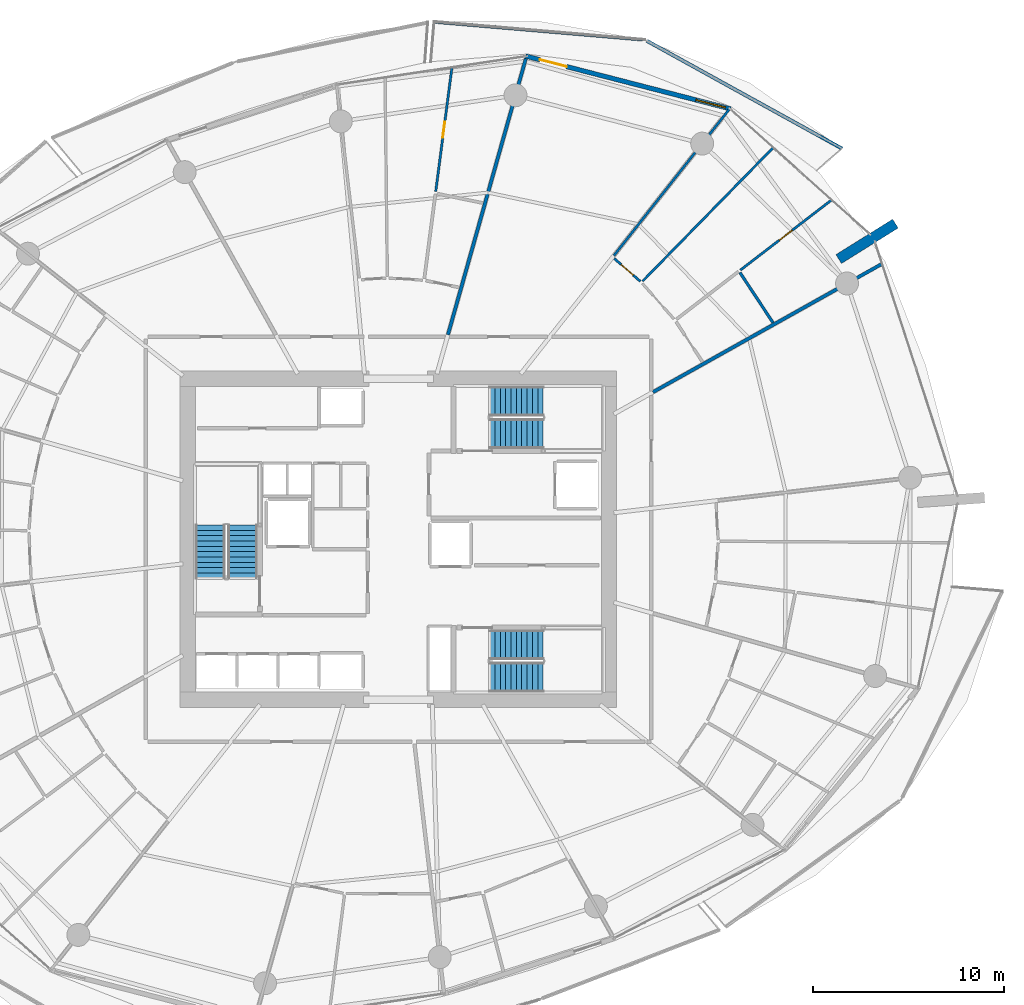
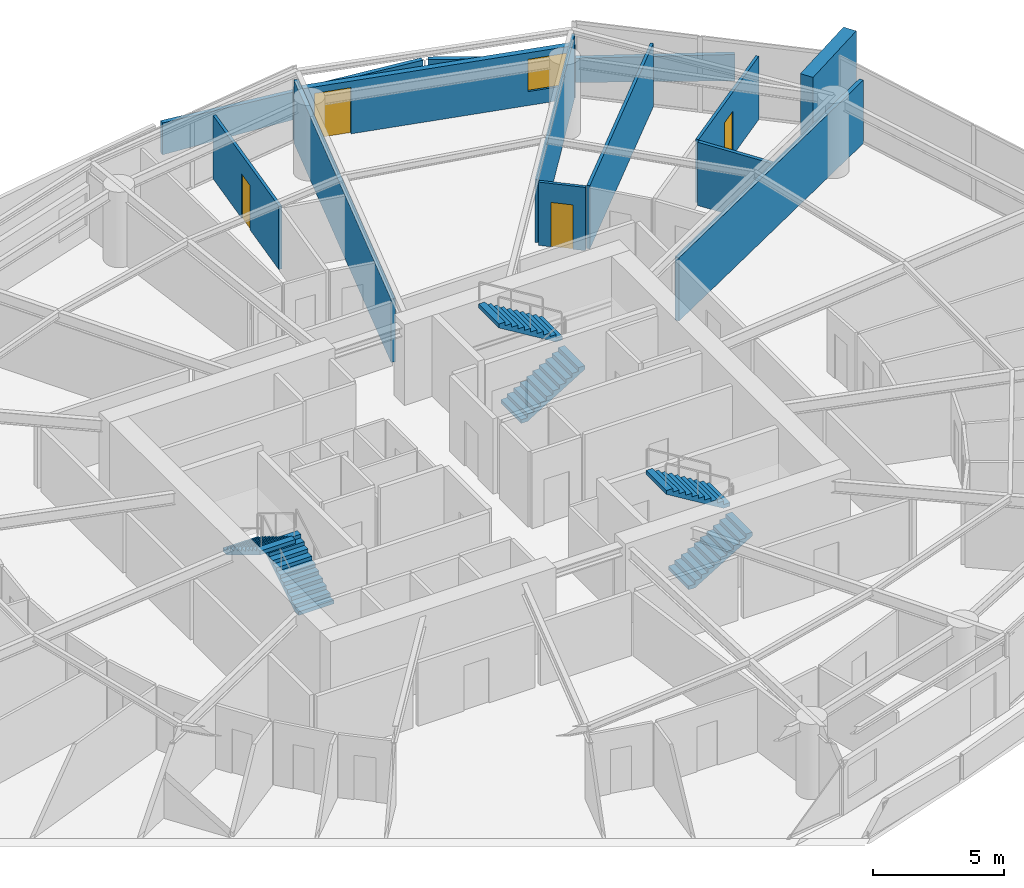
# One storey, part 16 of 23: 12 walls, 6 stair flights, 4 doors, 1 window, 5 openings, 3 elements without a shape of their own.
"""IFC4 building model written with IfcOpenShell, lengths in metres."""

from ifc_helpers import new_model, si_unit, direction, frame, frame_2d, origin, place, context, subcontext, project, spatial, polyline, rectangle, outline, extrude, material, layer, layer_set, type_object, element, fill, aggregate, save


model = new_model("IFC4")

# Units and contexts
model_context = context("Model", 3, precision=1e-05, world=origin(), true_north=direction((0.0, 1.0)))
body_context = subcontext(model_context, "Body", "Model", "MODEL_VIEW")
ifc_project = project(units=[si_unit("LENGTHUNIT", "METRE"), si_unit("AREAUNIT", "SQUARE_METRE"), si_unit("VOLUMEUNIT", "CUBIC_METRE"), si_unit("PLANEANGLEUNIT", "RADIAN"), si_unit("MASSUNIT", "GRAM", prefix="KILO")], contexts=[model_context])

# Site, building, storey
site_placement = place(None, origin())
site = spatial("IfcSite", under=ifc_project, at=site_placement, CompositionType="ELEMENT")
building_placement = place(site_placement, origin())
building = spatial("IfcBuilding", under=site, at=building_placement, Name="Kazma Halo Residences", CompositionType="ELEMENT")
storey_placement = place(building_placement, frame((0.0, 0.0, 86.39990234375)))
storey = spatial("IfcBuildingStorey", under=building, at=storey_placement, Name="L21", CompositionType="ELEMENT", Elevation=86.39990234375)

# Walls
ifc_material_1 = material(Name="White Concrete C50/60 Balustrade", Category="concrete")
ifc_layer_1 = layer(ifc_material_1, 0.179931640625)
ifc_layer_set_1 = layer_set([ifc_layer_1], Name="White Concrete C50/60 Balustrade")
wall_type_1 = type_object("IfcWallType", Name="WL-BAL-WAVE-180", PredefinedType="PARAPET", material=ifc_layer_set_1)
wall_1_placement = place(storey_placement, frame((71.644287109375, 62.4453125, 0.0), z_axis=(0.0, 0.0, 1.0), x_axis=(-0.875456537623, 0.483296855704, 0.0)))
element("IfcWall", 1, at=wall_1_placement, inside=storey, type_object=wall_type_1, Name="L21 white wave balustrade wall NE.1", PredefinedType="PARAPET", context=body_context, shape_type="SweptSolid", body=[
    extrude(outline(polyline([(0.0, 0.0), (11.671630859375, 0.0), (11.671875, 1.148193359375), (5.8359375, 1.127197265625), (0.0, 1.22412109375), (0.0, 0.0)])), frame((0.0, 0.08984375, 0.0), z_axis=(0.0, -1.0, 0.0), x_axis=(1.0, 0.0, 0.0)), (0.0, 0.0, 1.0), 0.179931640625),
])
wall_2_placement = place(storey_placement, frame((61.201416015625, 68.154296875, 0.0), z_axis=(0.0, 0.0, 1.0), x_axis=(-0.996375069037, 0.08506892383, 0.0)))
element("IfcWall", 2, at=wall_2_placement, inside=storey, type_object=wall_type_1, Name="L21 white wave balustrade wall NE.2", PredefinedType="PARAPET", context=body_context, shape_type="SweptSolid", body=[
    extrude(outline(polyline([(0.0, 0.0), (10.94287109375, 0.0), (10.943115234375, 1.483154296875), (5.471435546875, 1.2841796875), (0.0, 1.148193359375), (0.0, 0.0)])), frame((0.0, 0.08984375, 0.0), z_axis=(0.0, -1.0, 0.0), x_axis=(1.0, 0.0, 0.0)), (0.0, 0.0, 1.0), 0.179931640625),
])
ifc_material_2 = material(Name="Pale Concrete C60/75", Category="concrete")
ifc_layer_2 = layer(ifc_material_2, 0.550048828125)
ifc_layer_set_2 = layer_set([ifc_layer_2], Name="Pale Concrete C60/75")
wall_type_2 = type_object("IfcWallType", Name="WL-BLADE-550", PredefinedType="SOLIDWALL", material=ifc_layer_set_2)
wall_3_placement = place(storey_placement, frame((71.468505859375, 56.664794921875, 0.0), z_axis=(0.0, 0.0, 1.0), x_axis=(0.848053161125, 0.529911158502, 0.0)))
element("IfcWall", 3, at=wall_3_placement, inside=storey, type_object=wall_type_2, Name="L21 pale concrete structural blade fin wall BW-01", PredefinedType="SOLIDWALL", context=body_context, shape_type="SweptSolid", body=[
    extrude(rectangle(XDim=3.5, YDim=0.550048828125, at=frame_2d((1.75, 0.0))), origin(), (0.0, 0.0, 1.0), 3.75),
])
ifc_material_3 = material(Name="Acoustic Twin-Stud Gypsum")
ifc_layer_3 = layer(ifc_material_3, 0.179931640625)
ifc_layer_set_3 = layer_set([ifc_layer_3], Name="Acoustic Twin-Stud Gypsum")
wall_type_3 = type_object("IfcWallType", Name="WL-DEM-180", PredefinedType="PARTITIONING", material=ifc_layer_set_3)
wall_4_placement = place(storey_placement, frame((61.74609375, 49.697998046875, 0.0), z_axis=(0.0, 0.0, 1.0), x_axis=(0.872489938668, 0.488632077256, 0.0)))
element("IfcWall", 4, at=wall_4_placement, inside=storey, type_object=wall_type_3, Name="L21 apartment demising radial wall 00", PredefinedType="PARTITIONING", context=body_context, shape_type="SweptSolid", body=[
    extrude(rectangle(XDim=13.724609375, YDim=0.179931640625, at=frame_2d((6.8623046875, 0.0))), origin(), (0.0, 0.0, 1.0), 2.940185546875),
])
wall_5_placement = place(storey_placement, frame((51.019287109375, 52.705810546875, 0.0), z_axis=(0.0, 0.0, 1.0), x_axis=(0.271450895995, 0.962452290279, 0.0)))
element("IfcWall", 5, at=wall_5_placement, inside=storey, type_object=wall_type_3, Name="L21 apartment demising radial wall 02", PredefinedType="PARTITIONING", context=body_context, shape_type="SweptSolid", body=[
    extrude(rectangle(XDim=15.014404296875, YDim=0.179931640625, at=frame_2d((7.50732421875, 0.0))), origin(), (0.0, 0.0, 1.0), 2.940185546875),
])

# Wall, openings, door, window
ifc_material_4 = material(Name="Insulated Pale-Metal Composite Wall")
ifc_layer_4 = layer(ifc_material_4, 0.239990234375)
ifc_layer_set_4 = layer_set([ifc_layer_4], Name="Insulated Pale-Metal Composite Wall")
wall_type_4 = type_object("IfcWallType", Name="WL-EXT-HOST-240", PredefinedType="SOLIDWALL", material=ifc_layer_set_4)
wall_6_placement = place(storey_placement, frame((65.81396484375, 64.52294921875, 0.0), z_axis=(0.0, 0.0, 1.0), x_axis=(-0.968356180858, 0.249572248045, 0.0)))
wall_6 = element("IfcWall", 6, at=wall_6_placement, inside=storey, type_object=wall_type_4, Name="L21 exterior terrace-access wall B02", PredefinedType="SOLIDWALL", context=body_context, shape_type="SweptSolid", body=[
    extrude(rectangle(XDim=11.08447265625, YDim=0.239990234375, at=frame_2d((5.542236328125, 0.0))), origin(), (0.0, 0.0, 1.0), 2.4501953125),
])
opening_1_placement = place(wall_6_placement, frame((8.864501953125, 0.0, 0.0)))
opening_1 = element("IfcOpeningElement", 7, at=opening_1_placement, cuts=wall_6, Name="Opening DTR-1600", PredefinedType="OPENING", context=body_context, shape_type="SweptSolid", body=[
    extrude(rectangle(XDim=1.449951171875, YDim=2.14990234375, at=frame_2d((0.72509765625, 1.074951171875))), frame((0.0, 0.1298828125, 0.0), z_axis=(0.0, -1.0, 0.0), x_axis=(1.0, 0.0, 0.0)), (0.0, 0.0, 1.0), 0.260009765625),
])
opening_2_placement = place(wall_6_placement, frame((0.280029296875, 0.0, 0.64990234375)))
opening_2 = element("IfcOpeningElement", 8, at=opening_2_placement, cuts=wall_6, Name="Opening W-1800", PredefinedType="OPENING", context=body_context, shape_type="SweptSolid", body=[
    extrude(rectangle(XDim=1.60009765625, YDim=1.5, at=frame_2d((0.800048828125, 0.75))), frame((0.0, 0.1298828125, 0.0), z_axis=(0.0, -1.0, 0.0), x_axis=(1.0, 0.0, 0.0)), (0.0, 0.0, 1.0), 0.260009765625),
])
ifc_material_5 = material(Name="Aluminium AW-6063 T6 Double-Glazed Terrace Door", Category="aluminium")
door_type_1 = type_object("IfcDoorType", Name="DR-EXT-TERR-1600", OperationType="NOTDEFINED", PredefinedType="DOOR", material=ifc_material_5)
door_1_placement = place(opening_1_placement, origin())
door_1 = element("IfcDoor", 9, at=door_1_placement, inside=storey, type_object=door_type_1, Name="L21 B02 balcony terrace door", OperationType="DOUBLE_DOOR_SLIDING", OverallHeight=2.14990234375, OverallWidth=1.449951171875, PredefinedType="DOOR", context=body_context, shape_type="SweptSolid", body=[
    extrude(rectangle(XDim=1.449951171875, YDim=2.14990234375, at=frame_2d((0.72509765625, 1.074951171875))), frame((0.0, 0.02490234375, 0.0), z_axis=(0.0, -1.0, 0.0), x_axis=(1.0, 0.0, 0.0)), (0.0, 0.0, 1.0), 0.050048828125),
])
fill(opening_1, door_1)
ifc_material_6 = material(Name="Clear Triple-Silver Low-E Glass in Aluminium AW-6063 T6 Frame", Category="aluminium")
window_type = type_object("IfcWindowType", Name="WIN-RES-1800", PartitioningType="DOUBLE_PANEL_VERTICAL", PredefinedType="WINDOW", material=ifc_material_6)
window_placement = place(opening_2_placement, origin())
window = element("IfcWindow", 10, at=window_placement, inside=storey, type_object=window_type, Name="L21 B02 apartment window", OverallHeight=1.5, OverallWidth=1.60009765625, PartitioningType="SINGLE_PANEL", PredefinedType="WINDOW", context=body_context, shape_type="SweptSolid", body=[
    extrude(rectangle(XDim=1.60009765625, YDim=1.5, at=frame_2d((0.800048828125, 0.75))), frame((0.0, 0.030029296875, 0.0), z_axis=(0.0, -1.0, 0.0), x_axis=(1.0, 0.0, 0.0)), (0.0, 0.0, 1.0), 0.06005859375),
])
fill(opening_2, window)

# Wall
ifc_material_7 = material(Name="Gypsum Plasterboard Partition")
ifc_layer_5 = layer(ifc_material_7, 0.125)
ifc_layer_set_5 = layer_set([ifc_layer_5], Name="Gypsum Plasterboard Partition")
wall_type_5 = type_object("IfcWallType", Name="WL-PART-125", PredefinedType="PARTITIONING", material=ifc_layer_set_5)
wall_7_placement = place(storey_placement, frame((59.7021484375, 56.843994140625, 0.0), z_axis=(0.0, 0.0, 1.0), x_axis=(0.619083405129, 0.785325243128, 0.0)))
element("IfcWall", 11, at=wall_7_placement, inside=storey, type_object=wall_type_5, Name="L21 Apartment 5 living radial partition 0", PredefinedType="PARTITIONING", context=body_context, shape_type="SweptSolid", body=[
    extrude(rectangle(XDim=9.76904296875, YDim=0.125, at=frame_2d((4.884521484375, 0.0))), origin(), (0.0, 0.0, 1.0), 2.940185546875),
])

# Wall, opening, door
wall_8_placement = place(storey_placement, frame((66.322998046875, 56.08642578125, 0.0), z_axis=(0.0, 0.0, 1.0), x_axis=(0.792792040596, 0.60949223159, 0.0)))
wall_8 = element("IfcWall", 12, at=wall_8_placement, inside=storey, type_object=wall_type_5, Name="L21 Apartment 5 Utility Laundry Room partition wall", PredefinedType="PARTITIONING", context=body_context, shape_type="SweptSolid", body=[
    extrude(rectangle(XDim=5.99365234375, YDim=0.125, at=frame_2d((2.996826171875, 0.0))), origin(), (0.0, 0.0, 1.0), 2.940185546875),
])
opening_3_placement = place(wall_8_placement, frame((2.57177734375, 0.0, 0.0)))
opening_3 = element("IfcOpeningElement", 13, at=opening_3_placement, cuts=wall_8, Name="Opening DB-900", PredefinedType="OPENING", context=body_context, shape_type="SweptSolid", body=[
    extrude(rectangle(XDim=0.85009765625, YDim=2.06005859375, at=frame_2d((0.425048828125, 1.030029296875))), frame((0.0, 0.072509765625, 0.0), z_axis=(0.0, -1.0, 0.0), x_axis=(1.0, 0.0, 0.0)), (0.0, 0.0, 1.0), 0.14501953125),
])
ifc_material_8 = material(Name="Moisture-Sealed Timber Leaf", Category="wood")
door_type_2 = type_object("IfcDoorType", Name="DR-BTH-900", OperationType="NOTDEFINED", PredefinedType="DOOR", material=ifc_material_8)
door_2_placement = place(opening_3_placement, origin())
door_2 = element("IfcDoor", 14, at=door_2_placement, inside=storey, type_object=door_type_2, Name="L21 Apartment 5 Utility Laundry Room door", OperationType="SINGLE_SWING_LEFT", OverallHeight=2.06005859375, OverallWidth=0.85009765625, PredefinedType="DOOR", context=body_context, shape_type="SweptSolid", body=[
    extrude(rectangle(XDim=0.85009765625, YDim=2.06005859375, at=frame_2d((0.425048828125, 1.030029296875))), frame((0.0, 0.02490234375, 0.0), z_axis=(0.0, -1.0, 0.0), x_axis=(1.0, 0.0, 0.0)), (0.0, 0.0, 1.0), 0.050048828125),
])
fill(opening_3, door_2)

# Wall
wall_9_placement = place(storey_placement, frame((61.20751953125, 55.50830078125, 0.0), z_axis=(0.0, 0.0, 1.0), x_axis=(0.699096858951, 0.715026979774, 0.0)))
element("IfcWall", 15, at=wall_9_placement, inside=storey, type_object=wall_type_5, Name="L21 Apartment 5 suite divider 0", PredefinedType="PARTITIONING", context=body_context, shape_type="SweptSolid", body=[
    extrude(rectangle(XDim=9.7470703125, YDim=0.125, at=frame_2d((4.87353515625, 0.0))), origin(), (0.0, 0.0, 1.0), 2.940185546875),
])

# Wall, opening, door
wall_10_placement = place(storey_placement, frame((61.08447265625, 55.49658203125, 0.0), z_axis=(0.0, 0.0, 1.0), x_axis=(-0.75124742024, 0.660020691784, 0.0)))
wall_10 = element("IfcWall", 16, at=wall_10_placement, inside=storey, type_object=wall_type_5, Name="L21 Apartment 5 Primary Bedroom hall wall", PredefinedType="PARTITIONING", context=body_context, shape_type="SweptSolid", body=[
    extrude(rectangle(XDim=1.822509765625, YDim=0.125, at=frame_2d((0.9111328125, 0.0))), origin(), (0.0, 0.0, 1.0), 2.940185546875),
])
opening_4_placement = place(wall_10_placement, frame((0.486083984375, 0.0, 0.0)))
opening_4 = element("IfcOpeningElement", 17, at=opening_4_placement, cuts=wall_10, Name="Opening DB-900", PredefinedType="OPENING", context=body_context, shape_type="SweptSolid", body=[
    extrude(rectangle(XDim=0.85009765625, YDim=2.06005859375, at=frame_2d((0.425048828125, 1.030029296875))), frame((0.0, 0.072509765625, 0.0), z_axis=(0.0, -1.0, 0.0), x_axis=(1.0, 0.0, 0.0)), (0.0, 0.0, 1.0), 0.14501953125),
])
door_3_placement = place(opening_4_placement, origin())
door_3 = element("IfcDoor", 18, at=door_3_placement, inside=storey, type_object=door_type_2, Name="L21 Apartment 5 Primary Bedroom door", OperationType="SINGLE_SWING_LEFT", OverallHeight=2.06005859375, OverallWidth=0.85009765625, PredefinedType="DOOR", context=body_context, shape_type="SweptSolid", body=[
    extrude(rectangle(XDim=0.85009765625, YDim=2.06005859375, at=frame_2d((0.425048828125, 1.030029296875))), frame((0.0, 0.02490234375, 0.0), z_axis=(0.0, -1.0, 0.0), x_axis=(1.0, 0.0, 0.0)), (0.0, 0.0, 1.0), 0.050048828125),
])
fill(opening_4, door_3)

wall_11_placement = place(storey_placement, frame((50.37841796875, 60.194091796875, 0.0), z_axis=(0.0, 0.0, 1.0), x_axis=(0.129622249643, 0.991563448498, 0.0)))
wall_11 = element("IfcWall", 19, at=wall_11_placement, inside=storey, type_object=wall_type_5, Name="L21 Apartment 6 Household Store Room partition wall", PredefinedType="PARTITIONING", context=body_context, shape_type="SweptSolid", body=[
    extrude(rectangle(XDim=6.5263671875, YDim=0.125, at=frame_2d((3.26318359375, 0.0))), origin(), (0.0, 0.0, 1.0), 2.940185546875),
])
opening_5_placement = place(wall_11_placement, frame((2.838134765625, 0.0, 0.0)))
opening_5 = element("IfcOpeningElement", 20, at=opening_5_placement, cuts=wall_11, Name="Opening DB-900", PredefinedType="OPENING", context=body_context, shape_type="SweptSolid", body=[
    extrude(rectangle(XDim=0.85009765625, YDim=2.06005859375, at=frame_2d((0.425048828125, 1.030029296875))), frame((0.0, 0.072509765625, 0.0), z_axis=(0.0, -1.0, 0.0), x_axis=(1.0, 0.0, 0.0)), (0.0, 0.0, 1.0), 0.14501953125),
])
door_4_placement = place(opening_5_placement, origin())
door_4 = element("IfcDoor", 21, at=door_4_placement, inside=storey, type_object=door_type_2, Name="L21 Apartment 6 Household Store Room door", OperationType="SINGLE_SWING_LEFT", OverallHeight=2.06005859375, OverallWidth=0.85009765625, PredefinedType="DOOR", context=body_context, shape_type="SweptSolid", body=[
    extrude(rectangle(XDim=0.85009765625, YDim=2.06005859375, at=frame_2d((0.425048828125, 1.030029296875))), frame((0.0, 0.02490234375, 0.0), z_axis=(0.0, -1.0, 0.0), x_axis=(1.0, 0.0, 0.0)), (0.0, 0.0, 1.0), 0.050048828125),
])
fill(opening_5, door_4)

# Wall
ifc_material_9 = material(Name="Moisture-Resistant Gypsum")
ifc_layer_6 = layer(ifc_material_9, 0.14990234375)
ifc_layer_set_6 = layer_set([ifc_layer_6], Name="Moisture-Resistant Gypsum")
wall_type_6 = type_object("IfcWallType", Name="WL-WET-150", PredefinedType="PARTITIONING", material=ifc_layer_set_6)
wall_12_placement = place(storey_placement, frame((68.031494140625, 53.33251953125, 0.0), z_axis=(0.0, 0.0, 1.0), x_axis=(-0.550480727927, 0.83484787128, 0.0)))
element("IfcWall", 22, at=wall_12_placement, inside=storey, type_object=wall_type_6, Name="L21 Apartment 5 Guest Bathroom back wall", PredefinedType="PARTITIONING", context=body_context, shape_type="SweptSolid", body=[
    extrude(rectangle(XDim=3.14306640625, YDim=0.14990234375, at=frame_2d((1.571533203125, 0.0))), origin(), (0.0, 0.0, 1.0), 2.940185546875),
])

# Stair, stair flights
ifc_material_10 = material(Name="Concrete C50/60", Category="concrete")
stair_type = type_object("IfcStairType", Name="STR-RES1", PredefinedType="HALF_TURN_STAIR", material=ifc_material_10)
stair_1_placement = place(storey_placement, origin())
stair_1 = element("IfcStair", 23, at=stair_1_placement, inside=storey, type_object=stair_type, Name="L21 Core exit stair ST-01", PredefinedType="HALF_TURN_STAIR")
stair_flight_type = type_object("IfcStairFlightType", Name="STR-RES1-FLT", PredefinedType="STRAIGHT", material=ifc_material_10)
stair_flight_1_placement = place(storey_placement, frame((40.27490234375, 39.949951171875, 0.0), z_axis=(0.0, 0.0, 1.0), x_axis=(0.0, 1.0, 0.0)))
stair_flight_1 = element("IfcStairFlight", 24, at=stair_flight_1_placement, type_object=stair_flight_type, Name="ST-01 flight 1", NumberOfRisers=11, NumberOfTreads=10, PredefinedType="STRAIGHT", RiserHeight=0.170454545, TreadLength=0.28, context=body_context, shape_type="SweptSolid", body=[
    extrude(outline(polyline([(0.0, 0.0), (0.0, 0.17041015625), (0.280029296875, 0.17041015625), (0.280029296875, 0.3408203125), (0.56005859375, 0.3408203125), (0.56005859375, 0.511474609375), (0.840087890625, 0.511474609375), (0.840087890625, 0.681884765625), (1.1201171875, 0.681884765625), (1.1201171875, 0.852294921875), (1.39990234375, 0.852294921875), (1.39990234375, 1.022705078125), (1.679931640625, 1.022705078125), (1.679931640625, 1.193115234375), (1.9599609375, 1.193115234375), (1.9599609375, 1.363525390625), (2.239990234375, 1.363525390625), (2.239990234375, 1.5341796875), (2.52001953125, 1.5341796875), (2.52001953125, 1.70458984375), (2.800048828125, 1.70458984375), (2.800048828125, 1.875), (2.800048828125, 1.529052734375), (0.288330078125, 0.0), (0.0, 0.0)])), frame((0.0, 0.77490234375, 0.0), z_axis=(0.0, -1.0, 0.0), x_axis=(1.0, 0.0, 0.0)), (0.0, 0.0, 1.0), 1.550048828125),
])
stair_flight_2_placement = place(storey_placement, frame((38.574951171875, 42.75, 1.875), z_axis=(0.0, 0.0, 1.0), x_axis=(0.0, -1.0, 0.0)))
stair_flight_2 = element("IfcStairFlight", 25, at=stair_flight_2_placement, type_object=stair_flight_type, Name="ST-01 flight 2", NumberOfRisers=11, NumberOfTreads=10, PredefinedType="STRAIGHT", RiserHeight=0.170454545, TreadLength=0.28, context=body_context, shape_type="SweptSolid", body=[
    extrude(outline(polyline([(0.0, 0.0), (0.0, 0.17041015625), (0.280029296875, 0.17041015625), (0.280029296875, 0.3408203125), (0.56005859375, 0.3408203125), (0.56005859375, 0.511474609375), (0.840087890625, 0.511474609375), (0.840087890625, 0.681884765625), (1.1201171875, 0.681884765625), (1.1201171875, 0.852294921875), (1.39990234375, 0.852294921875), (1.39990234375, 1.022705078125), (1.679931640625, 1.022705078125), (1.679931640625, 1.193115234375), (1.9599609375, 1.193115234375), (1.9599609375, 1.363525390625), (2.239990234375, 1.363525390625), (2.239990234375, 1.5341796875), (2.52001953125, 1.5341796875), (2.52001953125, 1.70458984375), (2.800048828125, 1.70458984375), (2.800048828125, 1.875), (2.800048828125, 1.529052734375), (0.288330078125, 0.0), (0.0, 0.0)])), frame((0.0, 0.77490234375, 0.0), z_axis=(0.0, -1.0, 0.0), x_axis=(1.0, 0.0, 0.0)), (0.0, 0.0, 1.0), 1.550048828125),
])
aggregate(stair_1, [stair_flight_1, stair_flight_2])

stair_2_placement = place(storey_placement, origin())
stair_2 = element("IfcStair", 26, at=stair_2_placement, inside=storey, type_object=stair_type, Name="L21 Core exit stair ST-02", PredefinedType="HALF_TURN_STAIR")
stair_flight_3_placement = place(storey_placement, frame((53.199951171875, 47.52490234375, 0.0), z_axis=(0.0, 0.0, 1.0), x_axis=(1.0, 0.0, 0.0)))
stair_flight_3 = element("IfcStairFlight", 27, at=stair_flight_3_placement, type_object=stair_flight_type, Name="ST-02 flight 1", NumberOfRisers=11, NumberOfTreads=10, PredefinedType="STRAIGHT", RiserHeight=0.170454545, TreadLength=0.28, context=body_context, shape_type="SweptSolid", body=[
    extrude(outline(polyline([(0.0, 0.0), (0.0, 0.17041015625), (0.280029296875, 0.17041015625), (0.280029296875, 0.3408203125), (0.56005859375, 0.3408203125), (0.56005859375, 0.511474609375), (0.840087890625, 0.511474609375), (0.840087890625, 0.681884765625), (1.1201171875, 0.681884765625), (1.1201171875, 0.852294921875), (1.39990234375, 0.852294921875), (1.39990234375, 1.022705078125), (1.679931640625, 1.022705078125), (1.679931640625, 1.193115234375), (1.9599609375, 1.193115234375), (1.9599609375, 1.363525390625), (2.239990234375, 1.363525390625), (2.239990234375, 1.5341796875), (2.52001953125, 1.5341796875), (2.52001953125, 1.70458984375), (2.800048828125, 1.70458984375), (2.800048828125, 1.875), (2.800048828125, 1.529052734375), (0.288330078125, 0.0), (0.0, 0.0)])), frame((0.0, 0.77490234375, 0.0), z_axis=(0.0, -1.0, 0.0), x_axis=(1.0, 0.0, 0.0)), (0.0, 0.0, 1.0), 1.550048828125),
])
stair_flight_4_placement = place(storey_placement, frame((56.0, 49.22509765625, 1.875), z_axis=(0.0, 0.0, 1.0), x_axis=(-1.0, 0.0, 0.0)))
stair_flight_4 = element("IfcStairFlight", 28, at=stair_flight_4_placement, type_object=stair_flight_type, Name="ST-02 flight 2", NumberOfRisers=11, NumberOfTreads=10, PredefinedType="STRAIGHT", RiserHeight=0.170454545, TreadLength=0.28, context=body_context, shape_type="SweptSolid", body=[
    extrude(outline(polyline([(0.0, 0.0), (0.0, 0.17041015625), (0.280029296875, 0.17041015625), (0.280029296875, 0.3408203125), (0.56005859375, 0.3408203125), (0.56005859375, 0.511474609375), (0.840087890625, 0.511474609375), (0.840087890625, 0.681884765625), (1.1201171875, 0.681884765625), (1.1201171875, 0.852294921875), (1.39990234375, 0.852294921875), (1.39990234375, 1.022705078125), (1.679931640625, 1.022705078125), (1.679931640625, 1.193115234375), (1.9599609375, 1.193115234375), (1.9599609375, 1.363525390625), (2.239990234375, 1.363525390625), (2.239990234375, 1.5341796875), (2.52001953125, 1.5341796875), (2.52001953125, 1.70458984375), (2.800048828125, 1.70458984375), (2.800048828125, 1.875), (2.800048828125, 1.529052734375), (0.288330078125, 0.0), (0.0, 0.0)])), frame((0.0, 0.77490234375, 0.0), z_axis=(0.0, -1.0, 0.0), x_axis=(1.0, 0.0, 0.0)), (0.0, 0.0, 1.0), 1.550048828125),
])
aggregate(stair_2, [stair_flight_3, stair_flight_4])

stair_3_placement = place(storey_placement, origin())
stair_3 = element("IfcStair", 29, at=stair_3_placement, inside=storey, type_object=stair_type, Name="L21 Core exit stair ST-03", PredefinedType="HALF_TURN_STAIR")
stair_flight_5_placement = place(storey_placement, frame((53.199951171875, 34.77490234375, 0.0), z_axis=(0.0, 0.0, 1.0), x_axis=(1.0, 0.0, 0.0)))
stair_flight_5 = element("IfcStairFlight", 30, at=stair_flight_5_placement, type_object=stair_flight_type, Name="ST-03 flight 1", NumberOfRisers=11, NumberOfTreads=10, PredefinedType="STRAIGHT", RiserHeight=0.170454545, TreadLength=0.28, context=body_context, shape_type="SweptSolid", body=[
    extrude(outline(polyline([(0.0, 0.0), (0.0, 0.17041015625), (0.280029296875, 0.17041015625), (0.280029296875, 0.3408203125), (0.56005859375, 0.3408203125), (0.56005859375, 0.511474609375), (0.840087890625, 0.511474609375), (0.840087890625, 0.681884765625), (1.1201171875, 0.681884765625), (1.1201171875, 0.852294921875), (1.39990234375, 0.852294921875), (1.39990234375, 1.022705078125), (1.679931640625, 1.022705078125), (1.679931640625, 1.193115234375), (1.9599609375, 1.193115234375), (1.9599609375, 1.363525390625), (2.239990234375, 1.363525390625), (2.239990234375, 1.5341796875), (2.52001953125, 1.5341796875), (2.52001953125, 1.70458984375), (2.800048828125, 1.70458984375), (2.800048828125, 1.875), (2.800048828125, 1.529052734375), (0.288330078125, 0.0), (0.0, 0.0)])), frame((0.0, 0.77490234375, 0.0), z_axis=(0.0, -1.0, 0.0), x_axis=(1.0, 0.0, 0.0)), (0.0, 0.0, 1.0), 1.550048828125),
])
stair_flight_6_placement = place(storey_placement, frame((56.0, 36.47509765625, 1.875), z_axis=(0.0, 0.0, 1.0), x_axis=(-1.0, 0.0, 0.0)))
stair_flight_6 = element("IfcStairFlight", 31, at=stair_flight_6_placement, type_object=stair_flight_type, Name="ST-03 flight 2", NumberOfRisers=11, NumberOfTreads=10, PredefinedType="STRAIGHT", RiserHeight=0.170454545, TreadLength=0.28, context=body_context, shape_type="SweptSolid", body=[
    extrude(outline(polyline([(0.0, 0.0), (0.0, 0.17041015625), (0.280029296875, 0.17041015625), (0.280029296875, 0.3408203125), (0.56005859375, 0.3408203125), (0.56005859375, 0.511474609375), (0.840087890625, 0.511474609375), (0.840087890625, 0.681884765625), (1.1201171875, 0.681884765625), (1.1201171875, 0.852294921875), (1.39990234375, 0.852294921875), (1.39990234375, 1.022705078125), (1.679931640625, 1.022705078125), (1.679931640625, 1.193115234375), (1.9599609375, 1.193115234375), (1.9599609375, 1.363525390625), (2.239990234375, 1.363525390625), (2.239990234375, 1.5341796875), (2.52001953125, 1.5341796875), (2.52001953125, 1.70458984375), (2.800048828125, 1.70458984375), (2.800048828125, 1.875), (2.800048828125, 1.529052734375), (0.288330078125, 0.0), (0.0, 0.0)])), frame((0.0, 0.77490234375, 0.0), z_axis=(0.0, -1.0, 0.0), x_axis=(1.0, 0.0, 0.0)), (0.0, 0.0, 1.0), 1.550048828125),
])
aggregate(stair_3, [stair_flight_5, stair_flight_6])

save(model, "model.ifc")
